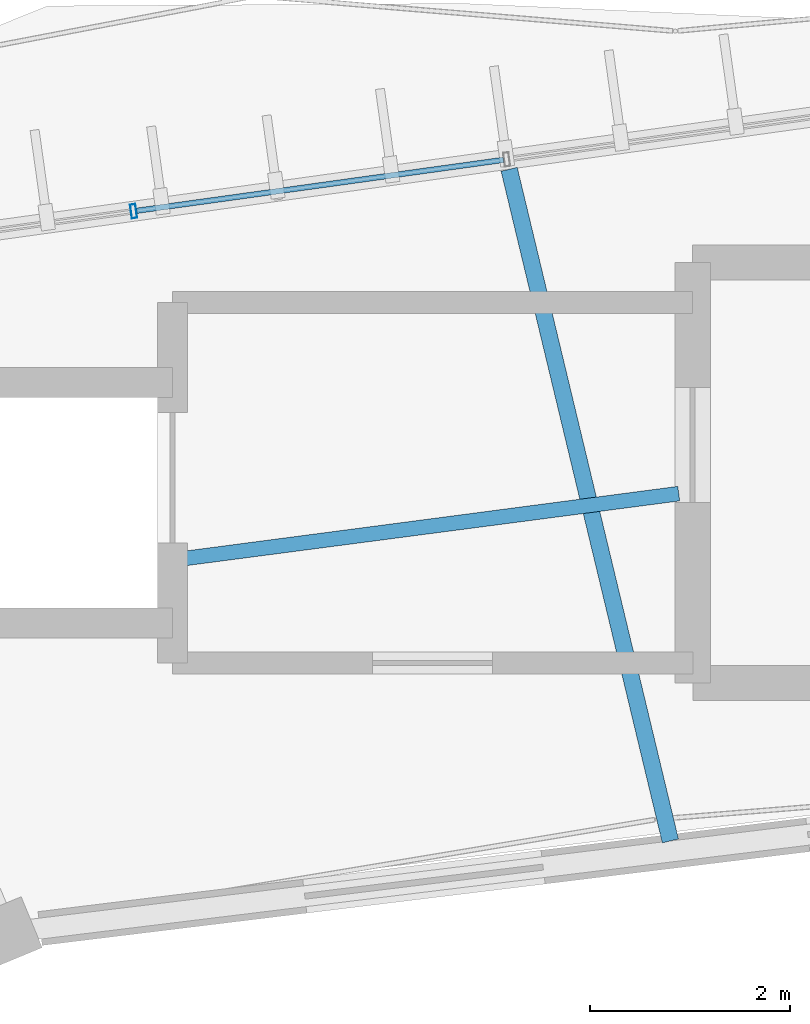
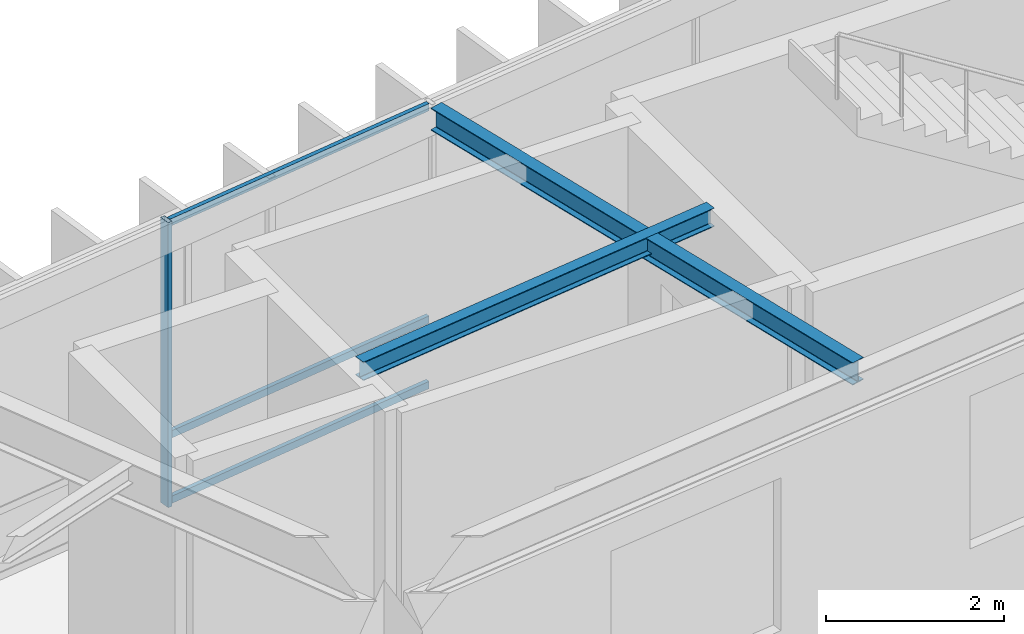
# One storey, part 42 of 83: 4 members, 2 beams, 1 element without a shape of its own.
"""IFC4 building model written with IfcOpenShell, lengths in metres."""

import ifcopenshell
import ifcopenshell.guid

model = None  # the IFC model being written
_history = None  # IfcOwnerHistory: only IFC2X3 demands one
_inside = {}  # id of a spatial element -> (the spatial element, [elements in it])
_under = {}  # id of a project, library or spatial element -> (it, [spatial elements below it])
_declared = {}  # id of a project -> (the project, [libraries it declares])
_typed = {}  # id of a type object -> (the type object, [elements of that type])
_made_of = {}  # id of a material, layer set ... -> (it, [elements and type objects made of it])


def new_model(schema):
    """Start an empty IFC model of exactly this schema.

    Asked for "IFC4X3", IfcOpenShell would pick the latest addendum, in which some entities
    have other attributes; the version numbers below select the first issue.
    IFC2X3 requires an IfcOwnerHistory on every rooted entity: one is made here for all.
    """
    global model, _history
    if schema == "IFC4X3":
        model = ifcopenshell.file(schema_version=(4, 3, 0, 0))
    else:
        model = ifcopenshell.file(schema=schema)
    _inside.clear()
    _under.clear()
    _declared.clear()
    _typed.clear()
    _made_of.clear()
    _history = None
    if model.schema == "IFC2X3":
        org = make("IfcOrganization", Name="unknown")
        user = make(
            "IfcPersonAndOrganization",
            ThePerson=make("IfcPerson", FamilyName="unknown"),
            TheOrganization=org,
        )
        app = make(
            "IfcApplication",
            ApplicationDeveloper=org,
            Version="unknown",
            ApplicationFullName="unknown",
            ApplicationIdentifier="unknown",
        )
        _history = make(
            "IfcOwnerHistory",
            OwningUser=user,
            OwningApplication=app,
            ChangeAction="ADDED",
            CreationDate=0,
        )
    return model


def make(cls, **values):
    """One entity of the class cls with the attributes given. An attribute that is None is left unset."""
    return model.create_entity(
        cls, **{name: value for name, value in values.items() if value is not None}
    )


def rooted(cls, **values):
    """An entity with a GlobalId (a new one), such as an element, a storey or a relation."""
    return make(cls, GlobalId=ifcopenshell.guid.new(), OwnerHistory=_history, **values)


def si_unit(unit_type, name, prefix=None):
    """IfcSIUnit, for example si_unit("LENGTHUNIT", "METRE", prefix="MILLI")."""
    return make("IfcSIUnit", UnitType=unit_type, Prefix=prefix, Name=name)


def assignment(units):
    """IfcUnitAssignment: the units of a project."""
    return None if units is None else make("IfcUnitAssignment", Units=units)


def point(xyz):
    """IfcCartesianPoint."""
    return None if xyz is None else make("IfcCartesianPoint", Coordinates=xyz)


def direction(xyz):
    """IfcDirection."""
    return None if xyz is None else make("IfcDirection", DirectionRatios=xyz)


def frame(location, z_axis=None, x_axis=None):
    """IfcAxis2Placement3D, a coordinate frame: its origin and axes. An axis left out is left unset."""
    return make(
        "IfcAxis2Placement3D",
        Location=point(location),
        Axis=direction(z_axis),
        RefDirection=direction(x_axis),
    )


def frame_2d(location, x_axis=None):
    """IfcAxis2Placement2D, a coordinate frame in the plane: its origin and x axis."""
    return make(
        "IfcAxis2Placement2D", Location=point(location), RefDirection=direction(x_axis)
    )


def origin():
    """The frame at (0, 0, 0) with its axes left unset."""
    return frame((0.0, 0.0, 0.0))


def origin_2d():
    """The frame at (0, 0) in the plane with its x axis left unset."""
    return frame_2d((0.0, 0.0))


def place(relative_to, where):
    """IfcLocalPlacement: puts the frame where relative to a parent placement (None: the world)."""
    return make(
        "IfcLocalPlacement", PlacementRelTo=relative_to, RelativePlacement=where
    )


def context(
    kind, dimensions, precision=None, world=None, true_north=None, identifier=None
):
    """IfcGeometricRepresentationContext, for example the 3D "Model" context."""
    return make(
        "IfcGeometricRepresentationContext",
        ContextIdentifier=identifier,
        ContextType=kind,
        CoordinateSpaceDimension=dimensions,
        Precision=precision,
        WorldCoordinateSystem=world,
        TrueNorth=true_north,
    )


def subcontext(parent, identifier, kind, view, scale=None):
    """IfcGeometricRepresentationSubContext, for example "Body" below "Model"."""
    return make(
        "IfcGeometricRepresentationSubContext",
        ContextIdentifier=identifier,
        ContextType=kind,
        ParentContext=parent,
        TargetScale=scale,
        TargetView=view,
    )


def project(units=None, contexts=None):
    """IfcProject with its units and contexts."""
    return rooted(
        "IfcProject",
        Name="project",
        RepresentationContexts=contexts,
        UnitsInContext=assignment(units),
    )


def spatial(cls, under=None, at=None, **own):
    """A site, building, storey or space (cls), placed at a placement, below another one or the project."""
    s = rooted(cls, ObjectPlacement=at, **own)
    if under is not None:
        _under.setdefault(under.id(), (under, []))[1].append(s)
    return s


def profile(cls, at=None, kind="AREA", **sizes):
    """A parametric profile (cls). Its sizes go by their IFC names, for example OverallWidth=200.0."""
    return make(cls, ProfileType=kind, Position=at, **sizes)


def hollow_rectangle(**sizes):
    """IfcRectangleHollowProfileDef."""
    return profile("IfcRectangleHollowProfileDef", **sizes)


def i_section(**sizes):
    """IfcIShapeProfileDef."""
    return profile("IfcIShapeProfileDef", **sizes)


def extrude(swept, where, along, depth):
    """IfcExtrudedAreaSolid: the profile swept, set in the frame where, extruded along a direction by depth."""
    return make(
        "IfcExtrudedAreaSolid",
        SweptArea=swept,
        Position=where,
        ExtrudedDirection=direction(along),
        Depth=depth,
    )


def shape(context_of_items, identifier, shape_type, items):
    """IfcShapeRepresentation: the items that make up one representation, for example the "Body"."""
    return make(
        "IfcShapeRepresentation",
        ContextOfItems=context_of_items,
        RepresentationIdentifier=identifier,
        RepresentationType=shape_type,
        Items=items,
    )


def material(Name=None, Category=None):
    """IfcMaterial."""
    return make("IfcMaterial", Name=Name, Category=Category)


def material_profile(
    of_material, cross_section, Name=None, Category=None, Priority=None
):
    """IfcMaterialProfile: a cross section and its material."""
    return make(
        "IfcMaterialProfile",
        Name=Name,
        Material=of_material,
        Profile=cross_section,
        Priority=Priority,
        Category=Category,
    )


def profile_set(profiles, Name=None, composite=None):
    """IfcMaterialProfileSet."""
    return make(
        "IfcMaterialProfileSet",
        Name=Name,
        MaterialProfiles=profiles,
        CompositeProfile=composite,
    )


def made_of(thing, what):
    """Note that an element or type object is made of a material, layer set ...; save() writes the relation."""
    if what is not None:
        _made_of.setdefault(what.id(), (what, []))[1].append(thing)
    return thing


def type_object(cls, material=None, **own):
    """A type object (cls), such as IfcWallType, which elements share."""
    return made_of(rooted(cls, **own), material)


def element(
    cls,
    number,
    at=None,
    inside=None,
    cuts=None,
    type_object=None,
    material=None,
    context=None,
    identifier="Body",
    shape_type=None,
    held_by="IfcProductDefinitionShape",
    body=None,
    shapes=None,
    **own,
):
    """One element of the class cls, such as IfcWall. Its Tag is "e" and its number.

    at: its placement. inside: the storey or other place that contains it. cuts: it is an
    opening in that element (IfcRelVoidsElement). A single representation is given by context,
    identifier, shape_type and body (its items); several are given by shapes. held_by: the class
    of the entity that holds the representations. save() writes the other relations.
    """
    e = rooted(cls, Tag="e%d" % number, ObjectPlacement=at, **own)
    if body is not None:
        shapes = [shape(context, identifier, shape_type, body)]
    if shapes is not None:
        e.Representation = make(held_by, Representations=shapes)
    if inside is not None:
        _inside.setdefault(inside.id(), (inside, []))[1].append(e)
    if cuts is not None:
        rooted(
            "IfcRelVoidsElement", RelatingBuildingElement=cuts, RelatedOpeningElement=e
        )
    if type_object is not None:
        _typed.setdefault(type_object.id(), (type_object, []))[1].append(e)
    return made_of(e, material)


def aggregate(whole, parts):
    """IfcRelAggregates: a whole, such as a stair, and the parts it consists of."""
    return rooted("IfcRelAggregates", RelatingObject=whole, RelatedObjects=parts)


def save(model, path):
    """Write the relations noted so far, then the file.

    IfcRelAggregates (storeys below a building ...), IfcRelContainedInSpatialStructure (elements
    in a storey), IfcRelDefinesByType, IfcRelAssociatesMaterial and IfcRelDeclares: one each for
    every whole, place, type object, material and project.
    """
    for whole, parts in _under.values():
        aggregate(whole, parts)
    for where, things in _inside.values():
        rooted(
            "IfcRelContainedInSpatialStructure",
            RelatedElements=things,
            RelatingStructure=where,
        )
    for kind, things in _typed.values():
        rooted("IfcRelDefinesByType", RelatedObjects=things, RelatingType=kind)
    for what, things in _made_of.values():
        rooted("IfcRelAssociatesMaterial", RelatedObjects=things, RelatingMaterial=what)
    for by, libraries in _declared.values():
        rooted("IfcRelDeclares", RelatingContext=by, RelatedDefinitions=libraries)
    model.write(path)


model = new_model("IFC4")

# Units and contexts
model_context = context("Model", 3, precision=1e-05, world=origin(), true_north=direction((0.0, 1.0)))
body_context = subcontext(model_context, "Body", "Model", "MODEL_VIEW")
ifc_project = project(units=[si_unit("LENGTHUNIT", "METRE"), si_unit("AREAUNIT", "SQUARE_METRE"), si_unit("VOLUMEUNIT", "CUBIC_METRE"), si_unit("PLANEANGLEUNIT", "RADIAN"), si_unit("MASSUNIT", "GRAM", prefix="KILO"), si_unit("THERMODYNAMICTEMPERATUREUNIT", "KELVIN"), si_unit("POWERUNIT", "WATT")], contexts=[model_context])

# Site, building, storey
site_placement = place(None, origin())
site = spatial("IfcSite", under=ifc_project, at=site_placement, CompositionType="ELEMENT")
building_placement = place(site_placement, origin())
building = spatial("IfcBuilding", under=site, at=building_placement, Name="Darbajah Civic Hall", CompositionType="ELEMENT")
storey_placement = place(building_placement, frame((0.0, 0.0, 18.0)))
storey = spatial("IfcBuildingStorey", under=building, at=storey_placement, Name="L04", CompositionType="ELEMENT", Elevation=18.0)

# Curtain wall, members
ifc_material_1 = material(Name="Anodised Bronze Aluminium and Low-E Glazing", Category="aluminium")
curtain_wall_type = type_object("IfcCurtainWallType", Name="Unitised Curtain Wall CW-66 15100x3900", PredefinedType="USERDEFINED", material=ifc_material_1)
curtain_wall_placement = place(storey_placement, origin())
curtain_wall = element("IfcCurtainWall", 1, at=curtain_wall_placement, inside=storey, type_object=curtain_wall_type, Name="L04 unitised curtain wall CW-V1O-L04-05", ObjectType="UNITISED CURTAIN WALL", PredefinedType="USERDEFINED")
ifc_material_2 = material(Name="Anodised Bronze Aluminium", Category="aluminium")
ifc_material_profile_1 = material_profile(ifc_material_2, hollow_rectangle(XDim=0.054931640625, YDim=0.139892578125, WallThickness=0.003173828125, at=origin_2d()), Name="ALU MULLION 55x140")
ifc_profile_set_1 = profile_set([ifc_material_profile_1], Name="Anodised Bronze Aluminium")
member_type_1 = type_object("IfcMemberType", Name="ALU MULLION 55x140", PredefinedType="MULLION", material=ifc_profile_set_1)
member_1_placement = place(storey_placement, frame((73.611572265625, 117.61376953125, 0.0), z_axis=(0.0, 0.0, 1.0), x_axis=(-0.990485459553, -0.137617420457, 0.0)))
member_1 = element("IfcMember", 2, at=member_1_placement, type_object=member_type_1, Name="CW-V1O-L04-05 mullion 4", PredefinedType="MULLION", context=body_context, shape_type="SweptSolid", body=[
    extrude(hollow_rectangle(XDim=0.054931640625, YDim=0.139892578125, WallThickness=0.003173828125, at=origin_2d()), origin(), (0.0, 0.0, 1.0), 3.919921875),
])
ifc_material_profile_2 = material_profile(ifc_material_2, hollow_rectangle(XDim=0.054931640625, YDim=0.10009765625, WallThickness=0.0029296875, at=origin_2d()), Name="ALU TRANSOM 55x100")
ifc_profile_set_2 = profile_set([ifc_material_profile_2], Name="Anodised Bronze Aluminium")
member_type_2 = type_object("IfcMemberType", Name="ALU TRANSOM 55x100", PredefinedType="USERDEFINED", material=ifc_profile_set_2)
member_2_placement = place(storey_placement, frame((77.30859375, 118.127197265625, 0.050048828125), z_axis=(-0.990500013976, -0.137512626016, 0.0), x_axis=(0.137512626016, -0.990500013976, 0.0)))
member_2 = element("IfcMember", 3, at=member_2_placement, type_object=member_type_2, Name="CW-V1O-L04-05 transom 3.1", ObjectType="TRANSOM", PredefinedType="USERDEFINED", context=body_context, shape_type="SweptSolid", body=[
    extrude(hollow_rectangle(XDim=0.054931640625, YDim=0.10009765625, WallThickness=0.0029296875, at=origin_2d()), origin(), (0.0, 0.0, 1.0), 3.699951171875),
])
member_3_placement = place(storey_placement, frame((77.30859375, 118.127197265625, 0.949951171875), z_axis=(-0.990500013976, -0.137512626016, 0.0), x_axis=(0.137512626016, -0.990500013976, 0.0)))
member_3 = element("IfcMember", 4, at=member_3_placement, type_object=member_type_2, Name="CW-V1O-L04-05 transom 3.2", ObjectType="TRANSOM", PredefinedType="USERDEFINED", context=body_context, shape_type="SweptSolid", body=[
    extrude(hollow_rectangle(XDim=0.054931640625, YDim=0.10009765625, WallThickness=0.0029296875, at=origin_2d()), origin(), (0.0, 0.0, 1.0), 3.699951171875),
])
member_4_placement = place(storey_placement, frame((77.30859375, 118.127197265625, 3.8701171875), z_axis=(-0.990500013976, -0.137512626016, 0.0), x_axis=(0.137512626016, -0.990500013976, 0.0)))
member_4 = element("IfcMember", 5, at=member_4_placement, type_object=member_type_2, Name="CW-V1O-L04-05 transom 3.3", ObjectType="TRANSOM", PredefinedType="USERDEFINED", context=body_context, shape_type="SweptSolid", body=[
    extrude(hollow_rectangle(XDim=0.054931640625, YDim=0.10009765625, WallThickness=0.0029296875, at=origin_2d()), origin(), (0.0, 0.0, 1.0), 3.699951171875),
])
aggregate(curtain_wall, [member_1, member_2, member_3, member_4])

# Beams
ifc_material_3 = material(Name="Steel S355JR", Category="steel")
ifc_material_profile_3 = material_profile(ifc_material_3, i_section(OverallWidth=0.146484375, OverallDepth=0.256103515625, WebThickness=0.00634765625, FlangeThickness=0.010986328125, FilletRadius=0.007568359375, at=origin_2d()), Name="UB 254x146x37")
ifc_profile_set_3 = profile_set([ifc_material_profile_3], Name="Steel S355JR")
beam_type_1 = type_object("IfcBeamType", Name="UB 254x146x37", PredefinedType="JOIST", material=ifc_profile_set_3)
beam_1_placement = place(storey_placement, frame((79.06005859375, 114.791015625, 3.7919921875), z_axis=(-0.991500932095, -0.130099583607, 0.0), x_axis=(0.130099583607, -0.991500932095, 0.0)))
element("IfcBeam", 6, at=beam_1_placement, inside=storey, type_object=beam_type_1, Name="L04 beam SJ-254", PredefinedType="JOIST", context=body_context, shape_type="SweptSolid", body=[
    extrude(i_section(OverallWidth=0.146484375, OverallDepth=0.256103515625, WebThickness=0.00634765625, FlangeThickness=0.010986328125, FilletRadius=0.007568359375, at=origin_2d()), origin(), (0.0, 0.0, 1.0), 4.982177734375),
])
ifc_material_profile_4 = material_profile(ifc_material_3, i_section(OverallWidth=0.165771484375, OverallDepth=0.306640625, WebThickness=0.006591796875, FlangeThickness=0.01171875, FilletRadius=0.0087890625, at=origin_2d()), Name="UB 305x165x46")
ifc_profile_set_4 = profile_set([ifc_material_profile_4], Name="Steel S355JR")
beam_type_2 = type_object("IfcBeamType", Name="UB 305x165x46", PredefinedType="JOIST", material=ifc_profile_set_4)
beam_2_placement = place(storey_placement, frame((78.976318359375, 111.320068359375, 3.7666015625), z_axis=(-0.233446518106, 0.972369643286, 0.0), x_axis=(-0.972369643286, -0.233446518106, 0.0)))
element("IfcBeam", 7, at=beam_2_placement, inside=storey, type_object=beam_type_2, Name="L04 beam SJ-305", PredefinedType="JOIST", context=body_context, shape_type="SweptSolid", body=[
    extrude(i_section(OverallWidth=0.165771484375, OverallDepth=0.306640625, WebThickness=0.006591796875, FlangeThickness=0.01171875, FilletRadius=0.0087890625, at=origin_2d()), origin(), (0.0, 0.0, 1.0), 6.9033203125),
])

save(model, "model.ifc")
